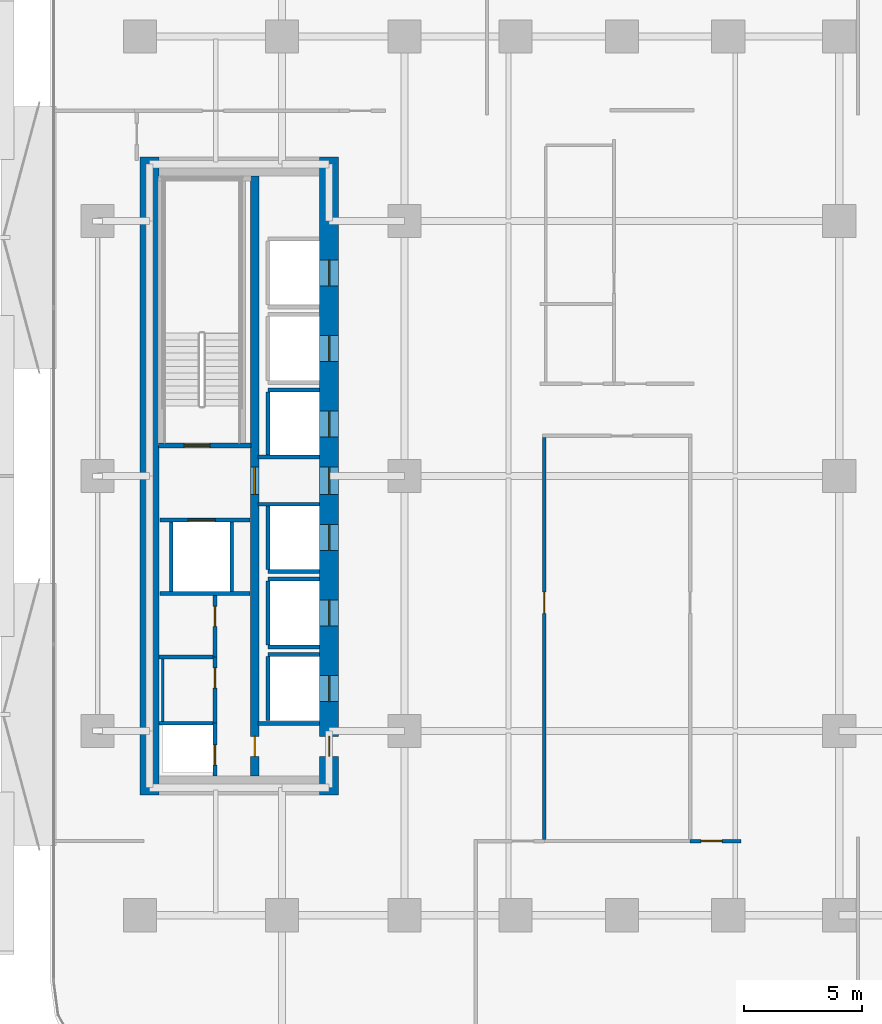
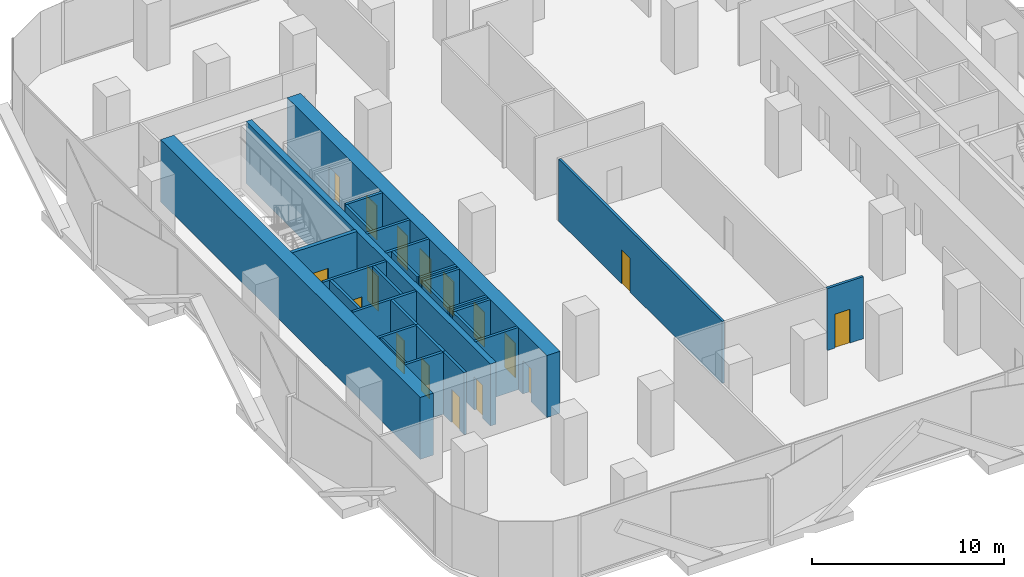
# One storey, part 3 of 15: 28 walls, 17 doors, 17 openings.
"""IFC4 building model written with IfcOpenShell, lengths in metres."""

from ifc_helpers import new_model, si_unit, direction, frame, frame_2d, origin, place, context, subcontext, project, spatial, rectangle, extrude, material, layer, layer_set, type_object, element, fill, save


model = new_model("IFC4")

# Units and contexts
model_context = context("Model", 3, precision=1e-05, world=origin(), true_north=direction((0.0, 1.0)))
body_context = subcontext(model_context, "Body", "Model", "MODEL_VIEW")
ifc_project = project(units=[si_unit("LENGTHUNIT", "METRE"), si_unit("AREAUNIT", "SQUARE_METRE"), si_unit("VOLUMEUNIT", "CUBIC_METRE"), si_unit("PLANEANGLEUNIT", "RADIAN"), si_unit("MASSUNIT", "GRAM", prefix="KILO")], contexts=[model_context])

# Site, building, storey
site_placement = place(None, origin())
site = spatial("IfcSite", under=ifc_project, at=site_placement, CompositionType="ELEMENT")
building_placement = place(site_placement, origin())
building = spatial("IfcBuilding", under=site, at=building_placement, Name="Khairoan Windgate Tower", CompositionType="ELEMENT")
storey_placement = place(building_placement, frame((0.0, 0.0, 47.0)))
storey = spatial("IfcBuildingStorey", under=building, at=storey_placement, Name="L11", CompositionType="ELEMENT", Elevation=47.0)

# Walls
ifc_material_1 = material(Name="Moisture-Resistant Gypsum Partition", Category="gypsum")
ifc_layer_1 = layer(ifc_material_1, 0.10009765625, Name="Moisture-Resistant Gypsum Partition")
ifc_layer_set_1 = layer_set([ifc_layer_1], Name="Moisture-Resistant Gypsum Partition")
wall_type_1 = type_object("IfcWallType", Name="Bathroom Wet-Area Partition Wall", PredefinedType="PARTITIONING", material=ifc_layer_set_1)
wall_1_placement = place(storey_placement, frame((-19.449951171875, -10.389892578125, 0.0), z_axis=(0.0, 0.0, 1.0), x_axis=(0.0, 1.0, 0.0)))
element("IfcWall", 1, at=wall_1_placement, inside=storey, type_object=wall_type_1, Name="L11 Wet Room Side Wall 034", PredefinedType="PARTITIONING", context=body_context, shape_type="SweptSolid", body=[
    extrude(rectangle(XDim=2.639892578125, YDim=0.10009765625, at=frame_2d((1.31982421875, 0.0))), origin(), (0.0, 0.0, 1.0), 3.93994140625),
])
ifc_material_2 = material(Name="Concrete C40/50", Category="concrete")
ifc_layer_2 = layer(ifc_material_2, 0.159912109375, Name="Concrete C40/50")
ifc_layer_set_2 = layer_set([ifc_layer_2], Name="Concrete C40/50")
wall_type_2 = type_object("IfcWallType", Name="Core and Hoistway Enclosure Wall", PredefinedType="STANDARD", material=ifc_layer_set_2)
wall_2_placement = place(storey_placement, frame((-14.989990234375, 3.639892578125, 0.0), z_axis=(0.0, 0.0, 1.0), x_axis=(1.0, 0.0, 0.0)))
element("IfcWall", 2, at=wall_2_placement, inside=storey, type_object=wall_type_2, Name="L11 Lift PL3 Hoistway Divider N", PredefinedType="STANDARD", context=body_context, shape_type="SweptSolid", body=[
    extrude(rectangle(XDim=2.18994140625, YDim=0.159912109375, at=frame_2d((1.094970703125, 0.0))), origin(), (0.0, 0.0, 1.0), 3.93994140625),
])
wall_3_placement = place(storey_placement, frame((-14.989990234375, 0.85009765625, 0.0), z_axis=(0.0, 0.0, 1.0), x_axis=(0.0, 1.0, 0.0)))
element("IfcWall", 3, at=wall_3_placement, inside=storey, type_object=wall_type_2, Name="L11 Lift PL3 Hoistway Back Wall", PredefinedType="STANDARD", context=body_context, shape_type="SweptSolid", body=[
    extrude(rectangle(XDim=2.699951171875, YDim=0.159912109375, at=frame_2d((1.35009765625, 0.0))), origin(), (0.0, 0.0, 1.0), 3.93994140625),
])
wall_4_placement = place(storey_placement, frame((-14.989990234375, -4.0400390625, 0.0), z_axis=(0.0, 0.0, 1.0), x_axis=(1.0, 0.0, 0.0)))
element("IfcWall", 4, at=wall_4_placement, inside=storey, type_object=wall_type_2, Name="L11 Lift PL4 Hoistway Divider S", PredefinedType="STANDARD", context=body_context, shape_type="SweptSolid", body=[
    extrude(rectangle(XDim=2.18994140625, YDim=0.159912109375, at=frame_2d((1.094970703125, 0.0))), origin(), (0.0, 0.0, 1.0), 3.93994140625),
])
wall_5_placement = place(storey_placement, frame((-14.989990234375, -3.949951171875, 0.0), z_axis=(0.0, 0.0, 1.0), x_axis=(0.0, 1.0, 0.0)))
element("IfcWall", 5, at=wall_5_placement, inside=storey, type_object=wall_type_2, Name="L11 Lift PL4 Hoistway Back Wall", PredefinedType="STANDARD", context=body_context, shape_type="SweptSolid", body=[
    extrude(rectangle(XDim=2.699951171875, YDim=0.159912109375, at=frame_2d((1.35009765625, 0.0))), origin(), (0.0, 0.0, 1.0), 3.93994140625),
])
for number, where, z_axis, x_axis, name in (
    (6, (-14.989990234375, -7.239990234375, 0.0), (0.0, 0.0, 1.0), (1.0, 0.0, 0.0), "L11 Lift PL5 Hoistway Divider S"),
    (7, (-14.989990234375, -4.360107421875, 0.0), (0.0, 0.0, 1.0), (1.0, 0.0, 0.0), "L11 Lift PL5 Hoistway Divider N"),
):
    element("IfcWall", number, at=place(storey_placement, frame(where, z_axis=z_axis, x_axis=x_axis)), inside=storey, type_object=wall_type_2, Name=name, PredefinedType="STANDARD", context=body_context, shape_type="SweptSolid", body=[
        extrude(rectangle(XDim=2.18994140625, YDim=0.159912109375, at=frame_2d((1.094970703125, 0.0))), origin(), (0.0, 0.0, 1.0), 3.93994140625),
    ])
wall_6_placement = place(storey_placement, frame((-14.989990234375, -7.14990234375, 0.0), z_axis=(0.0, 0.0, 1.0), x_axis=(0.0, 1.0, 0.0)))
element("IfcWall", 8, at=wall_6_placement, inside=storey, type_object=wall_type_2, Name="L11 Lift PL5 Hoistway Back Wall", PredefinedType="STANDARD", context=body_context, shape_type="SweptSolid", body=[
    extrude(rectangle(XDim=2.699951171875, YDim=0.159912109375, at=frame_2d((1.35009765625, 0.0))), origin(), (0.0, 0.0, 1.0), 3.93994140625),
])
wall_7_placement = place(storey_placement, frame((-14.989990234375, -7.56005859375, 0.0), z_axis=(0.0, 0.0, 1.0), x_axis=(1.0, 0.0, 0.0)))
element("IfcWall", 9, at=wall_7_placement, inside=storey, type_object=wall_type_2, Name="L11 Lift PL6 Hoistway Divider N", PredefinedType="STANDARD", context=body_context, shape_type="SweptSolid", body=[
    extrude(rectangle(XDim=2.18994140625, YDim=0.159912109375, at=frame_2d((1.094970703125, 0.0))), origin(), (0.0, 0.0, 1.0), 3.93994140625),
])
wall_8_placement = place(storey_placement, frame((-14.989990234375, -10.35009765625, 0.0), z_axis=(0.0, 0.0, 1.0), x_axis=(0.0, 1.0, 0.0)))
element("IfcWall", 10, at=wall_8_placement, inside=storey, type_object=wall_type_2, Name="L11 Lift PL6 Hoistway Back Wall", PredefinedType="STANDARD", context=body_context, shape_type="SweptSolid", body=[
    extrude(rectangle(XDim=2.7001953125, YDim=0.159912109375, at=frame_2d((1.35009765625, 0.0))), origin(), (0.0, 0.0, 1.0), 3.93994140625),
])

# Wall, opening, door
wall_9_placement = place(storey_placement, frame((-19.550048828125, -1.860107421875, 0.0), z_axis=(0.0, 0.0, 1.0), x_axis=(1.0, 0.0, 0.0)))
wall_9 = element("IfcWall", 11, at=wall_9_placement, inside=storey, type_object=wall_type_2, Name="L11 Core Shaft Wall SW-FL2-L11", PredefinedType="STANDARD", context=body_context, shape_type="SweptSolid", body=[
    extrude(rectangle(XDim=3.800048828125, YDim=0.159912109375, at=frame_2d((1.89990234375, 0.0))), origin(), (0.0, 0.0, 1.0), 3.93994140625),
])
opening_1_placement = place(wall_9_placement, frame((1.179931640625, 0.0, 0.0)))
opening_1 = element("IfcOpeningElement", 12, at=opening_1_placement, cuts=wall_9, Name="Opening LD-FL", PredefinedType="OPENING", context=body_context, shape_type="SweptSolid", body=[
    extrude(rectangle(XDim=1.14990234375, YDim=2.199951171875, at=frame_2d((0.574951171875, 1.10009765625))), frame((0.0, 0.08984375, 0.0), z_axis=(0.0, -1.0, 0.0), x_axis=(1.0, 0.0, 0.0)), (0.0, 0.0, 1.0), 0.179931640625),
])
ifc_material_3 = material(Name="Steel S355", Category="steel")
door_type_1 = type_object("IfcDoorType", Name="Firefighting Lift Sliding Landing Door LD-FL 1150x2200", OperationType="DOUBLE_DOOR_SLIDING", PredefinedType="DOOR", material=ifc_material_3)
door_1_placement = place(opening_1_placement, origin())
door_1 = element("IfcDoor", 13, at=door_1_placement, inside=storey, type_object=door_type_1, Name="L11 Firefighting Lift FL2 Landing Door", OperationType="DOUBLE_DOOR_SLIDING", OverallHeight=2.199951171875, OverallWidth=1.14990234375, PredefinedType="DOOR", context=body_context, shape_type="SweptSolid", body=[
    extrude(rectangle(XDim=1.14990234375, YDim=2.199951171875, at=frame_2d((0.574951171875, 1.10009765625))), frame((0.0, 0.02490234375, 0.0), z_axis=(0.0, -1.0, 0.0), x_axis=(1.0, 0.0, 0.0)), (0.0, 0.0, 1.0), 0.050048828125),
])
fill(opening_1, door_1)

# Walls
wall_10_placement = place(storey_placement, frame((-19.550048828125, -4.97998046875, 0.0), z_axis=(0.0, 0.0, 1.0), x_axis=(1.0, 0.0, 0.0)))
element("IfcWall", 14, at=wall_10_placement, inside=storey, type_object=wall_type_2, Name="L11 Core Shaft Wall SW-FL2B-L11", PredefinedType="STANDARD", context=body_context, shape_type="SweptSolid", body=[
    extrude(rectangle(XDim=3.800048828125, YDim=0.159912109375, at=frame_2d((1.89990234375, 0.0))), origin(), (0.0, 0.0, 1.0), 3.93994140625),
])
for number, where, z_axis, x_axis, name in (
    (15, (-19.080078125, -4.89990234375, 0.0), (0.0, 0.0, 1.0), (0.0, 1.0, 0.0), "L11 Core Shaft Wall SW-FL2W-L11"),
    (16, (-16.52001953125, -4.89990234375, 0.0), (0.0, 0.0, 1.0), (0.0, 1.0, 0.0), "L11 Core Shaft Wall SW-FL2E-L11"),
):
    element("IfcWall", number, at=place(storey_placement, frame(where, z_axis=z_axis, x_axis=x_axis)), inside=storey, type_object=wall_type_2, Name=name, PredefinedType="STANDARD", context=body_context, shape_type="SweptSolid", body=[
        extrude(rectangle(XDim=2.9599609375, YDim=0.159912109375, at=frame_2d((1.47998046875, 0.0))), origin(), (0.0, 0.0, 1.0), 3.93994140625),
    ])
for number, where, z_axis, x_axis, name in (
    (17, (-15.39990234375, 0.800048828125, 0.0), (0.0, 0.0, 1.0), (1.0, 0.0, 0.0), "L11 Core Shaft Wall SW-WV1-L11"),
    (18, (-15.39990234375, -1.199951171875, 0.0), (0.0, 0.0, 1.0), (1.0, 0.0, 0.0), "L11 Core Shaft Wall SW-WV2-L11"),
    (19, (-15.39990234375, -10.47998046875, 0.0), (0.0, 0.0, 1.0), (1.0, 0.0, 0.0), "L11 Core Shaft Wall SW-WSV-L11"),
):
    element("IfcWall", number, at=place(storey_placement, frame(where, z_axis=z_axis, x_axis=x_axis)), inside=storey, type_object=wall_type_2, Name=name, PredefinedType="STANDARD", context=body_context, shape_type="SweptSolid", body=[
        extrude(rectangle(XDim=2.599853515625, YDim=0.159912109375, at=frame_2d((1.2998046875, 0.0))), origin(), (0.0, 0.0, 1.0), 3.93994140625),
    ])

# Wall, opening, door
ifc_material_4 = material(Name="Concrete C40/50", Category="concrete")
ifc_layer_3 = layer(ifc_material_4, 0.159912109375, Name="Concrete C40/50")
ifc_layer_set_3 = layer_set([ifc_layer_3], Name="Concrete C40/50")
wall_type_3 = type_object("IfcWallType", Name="Plant and Refuge Compartment Wall", PredefinedType="PARTITIONING", material=ifc_layer_set_3)
wall_11_placement = place(storey_placement, frame((-17.22998046875, -12.699951171875, 0.0), z_axis=(0.0, 0.0, 1.0), x_axis=(0.0, 1.0, 0.0)))
wall_11 = element("IfcWall", 20, at=wall_11_placement, inside=storey, type_object=wall_type_3, Name="L11 Interior Partition 001", PredefinedType="PARTITIONING", context=body_context, shape_type="SweptSolid", body=[
    extrude(rectangle(XDim=2.22998046875, YDim=0.159912109375, at=frame_2d((1.114990234375, 0.0))), origin(), (0.0, 0.0, 1.0), 3.93994140625),
])
opening_2_placement = place(wall_11_placement, frame((0.4599609375, 0.0, 0.0)))
opening_2 = element("IfcOpeningElement", 21, at=opening_2_placement, cuts=wall_11, Name="Opening FD-SRV", PredefinedType="OPENING", context=body_context, shape_type="SweptSolid", body=[
    extrude(rectangle(XDim=0.85009765625, YDim=2.10009765625, at=frame_2d((0.425048828125, 1.050048828125))), frame((0.0, 0.08984375, 0.0), z_axis=(0.0, -1.0, 0.0), x_axis=(1.0, 0.0, 0.0)), (0.0, 0.0, 1.0), 0.179931640625),
])
ifc_material_5 = material(Name="Steel S355", Category="steel")
door_type_2 = type_object("IfcDoorType", Name="Core Service and Riser Fire Door FD-SRV 850x2100", OperationType="NOTDEFINED", PredefinedType="DOOR", material=ifc_material_5)
door_2_placement = place(opening_2_placement, origin())
door_2 = element("IfcDoor", 22, at=door_2_placement, inside=storey, type_object=door_type_2, Name="L11 L11-04-L11-05 Door", OperationType="SINGLE_SWING_RIGHT", OverallHeight=2.10009765625, OverallWidth=0.85009765625, PredefinedType="DOOR", context=body_context, shape_type="SweptSolid", body=[
    extrude(rectangle(XDim=0.85009765625, YDim=2.10009765625, at=frame_2d((0.425048828125, 1.050048828125))), frame((0.0, 0.02490234375, 0.0), z_axis=(0.0, -1.0, 0.0), x_axis=(1.0, 0.0, 0.0)), (0.0, 0.0, 1.0), 0.050048828125),
])
fill(opening_2, door_2)

wall_12_placement = place(storey_placement, frame((-17.22998046875, -10.469970703125, 0.0), z_axis=(0.0, 0.0, 1.0), x_axis=(0.0, 1.0, 0.0)))
wall_12 = element("IfcWall", 23, at=wall_12_placement, inside=storey, type_object=wall_type_3, Name="L11 Interior Partition 002", PredefinedType="PARTITIONING", context=body_context, shape_type="SweptSolid", body=[
    extrude(rectangle(XDim=2.800048828125, YDim=0.159912109375, at=frame_2d((1.39990234375, 0.0))), origin(), (0.0, 0.0, 1.0), 3.93994140625),
])
opening_3_placement = place(wall_12_placement, frame((1.489990234375, 0.0, 0.0)))
opening_3 = element("IfcOpeningElement", 24, at=opening_3_placement, cuts=wall_12, Name="Opening FD-SRV", PredefinedType="OPENING", context=body_context, shape_type="SweptSolid", body=[
    extrude(rectangle(XDim=0.85009765625, YDim=2.10009765625, at=frame_2d((0.425048828125, 1.050048828125))), frame((0.0, 0.08984375, 0.0), z_axis=(0.0, -1.0, 0.0), x_axis=(1.0, 0.0, 0.0)), (0.0, 0.0, 1.0), 0.179931640625),
])
door_3_placement = place(opening_3_placement, origin())
door_3 = element("IfcDoor", 25, at=door_3_placement, inside=storey, type_object=door_type_2, Name="L11 L11-04-L11-06 Door", OperationType="SINGLE_SWING_LEFT", OverallHeight=2.10009765625, OverallWidth=0.85009765625, PredefinedType="DOOR", context=body_context, shape_type="SweptSolid", body=[
    extrude(rectangle(XDim=0.85009765625, YDim=2.10009765625, at=frame_2d((0.425048828125, 1.050048828125))), frame((0.0, 0.02490234375, 0.0), z_axis=(0.0, -1.0, 0.0), x_axis=(1.0, 0.0, 0.0)), (0.0, 0.0, 1.0), 0.050048828125),
])
fill(opening_3, door_3)

wall_13_placement = place(storey_placement, frame((-17.22998046875, -7.669921875, 0.0), z_axis=(0.0, 0.0, 1.0), x_axis=(0.0, 1.0, 0.0)))
wall_13 = element("IfcWall", 26, at=wall_13_placement, inside=storey, type_object=wall_type_3, Name="L11 Interior Partition 003", PredefinedType="PARTITIONING", context=body_context, shape_type="SweptSolid", body=[
    extrude(rectangle(XDim=2.60986328125, YDim=0.159912109375, at=frame_2d((1.304931640625, 0.0))), origin(), (0.0, 0.0, 1.0), 3.93994140625),
])
opening_4_placement = place(wall_13_placement, frame((1.300048828125, 0.0, 0.0)))
opening_4 = element("IfcOpeningElement", 27, at=opening_4_placement, cuts=wall_13, Name="Opening FD-SRV", PredefinedType="OPENING", context=body_context, shape_type="SweptSolid", body=[
    extrude(rectangle(XDim=0.85009765625, YDim=2.10009765625, at=frame_2d((0.425048828125, 1.050048828125))), frame((0.0, 0.08984375, 0.0), z_axis=(0.0, -1.0, 0.0), x_axis=(1.0, 0.0, 0.0)), (0.0, 0.0, 1.0), 0.179931640625),
])
door_4_placement = place(opening_4_placement, origin())
door_4 = element("IfcDoor", 28, at=door_4_placement, inside=storey, type_object=door_type_2, Name="L11 L11-04-L11-07 Door", OperationType="SINGLE_SWING_RIGHT", OverallHeight=2.10009765625, OverallWidth=0.85009765625, PredefinedType="DOOR", context=body_context, shape_type="SweptSolid", body=[
    extrude(rectangle(XDim=0.85009765625, YDim=2.10009765625, at=frame_2d((0.425048828125, 1.050048828125))), frame((0.0, 0.02490234375, 0.0), z_axis=(0.0, -1.0, 0.0), x_axis=(1.0, 0.0, 0.0)), (0.0, 0.0, 1.0), 0.050048828125),
])
fill(opening_4, door_4)

# Walls
for number, where, z_axis, x_axis, name in (
    (29, (-19.60009765625, -10.469970703125, 0.0), (0.0, 0.0, 1.0), (1.0, 0.0, 0.0), "L11 Interior Partition 004"),
    (30, (-19.60009765625, -7.669921875, 0.0), (0.0, 0.0, 1.0), (1.0, 0.0, 0.0), "L11 Interior Partition 005"),
):
    element("IfcWall", number, at=place(storey_placement, frame(where, z_axis=z_axis, x_axis=x_axis)), inside=storey, type_object=wall_type_3, Name=name, PredefinedType="PARTITIONING", context=body_context, shape_type="SweptSolid", body=[
        extrude(rectangle(XDim=2.2900390625, YDim=0.159912109375, at=frame_2d((1.14501953125, 0.0))), origin(), (0.0, 0.0, 1.0), 3.93994140625),
    ])

# Wall, opening, door
ifc_material_6 = material(Name="Acoustic Fire-Rated Gypsum Partition", Category="gypsum")
ifc_layer_4 = layer(ifc_material_6, 0.14990234375, Name="Acoustic Fire-Rated Gypsum Partition")
ifc_layer_set_4 = layer_set([ifc_layer_4], Name="Acoustic Fire-Rated Gypsum Partition")
wall_type_4 = type_object("IfcWallType", Name="Rated Corridor Partition Wall", PredefinedType="PARTITIONING", material=ifc_layer_set_4)
wall_14_placement = place(storey_placement, frame((-3.284912109375, -15.385009765625, 0.0), z_axis=(0.0, 0.0, 1.0), x_axis=(0.0, 1.0, 0.0)))
wall_14 = element("IfcWall", 31, at=wall_14_placement, inside=storey, type_object=wall_type_4, Name="L11 Interior Partition 014", PredefinedType="PARTITIONING", context=body_context, shape_type="SweptSolid", body=[
    extrude(rectangle(XDim=17.005126953125, YDim=0.14990234375, at=frame_2d((8.50244140625, 0.0))), origin(), (0.0, 0.0, 1.0), 3.93994140625),
])
opening_5_placement = place(wall_14_placement, frame((9.571044921875, 0.0, 0.0)))
opening_5 = element("IfcOpeningElement", 32, at=opening_5_placement, cuts=wall_14, Name="Opening FD-ENT", PredefinedType="OPENING", context=body_context, shape_type="SweptSolid", body=[
    extrude(rectangle(XDim=0.89990234375, YDim=2.14990234375, at=frame_2d((0.449951171875, 1.074951171875))), frame((0.0, 0.0849609375, 0.0), z_axis=(0.0, -1.0, 0.0), x_axis=(1.0, 0.0, 0.0)), (0.0, 0.0, 1.0), 0.169921875),
])
ifc_material_7 = material(Name="Timber Fire-Rated Core", Category="wood")
door_type_3 = type_object("IfcDoorType", Name="Unit and Office Fire Entrance Door FD-ENT 900x2150", OperationType="NOTDEFINED", PredefinedType="DOOR", material=ifc_material_7)
door_5_placement = place(opening_5_placement, origin())
door_5 = element("IfcDoor", 33, at=door_5_placement, inside=storey, type_object=door_type_3, Name="L11 L11-31-L11-47 Door", OperationType="SINGLE_SWING_RIGHT", OverallHeight=2.14990234375, OverallWidth=0.89990234375, PredefinedType="DOOR", context=body_context, shape_type="SweptSolid", body=[
    extrude(rectangle(XDim=0.89990234375, YDim=2.14990234375, at=frame_2d((0.449951171875, 1.074951171875))), frame((0.0, 0.02490234375, 0.0), z_axis=(0.0, -1.0, 0.0), x_axis=(1.0, 0.0, 0.0)), (0.0, 0.0, 1.0), 0.050048828125),
])
fill(opening_5, door_5)

wall_15_placement = place(storey_placement, frame((2.885009765625, -15.4599609375, 0.0), z_axis=(0.0, 0.0, 1.0), x_axis=(1.0, 0.0, 0.0)))
wall_15 = element("IfcWall", 34, at=wall_15_placement, inside=storey, type_object=wall_type_4, Name="L11 Interior Partition 015", PredefinedType="PARTITIONING", context=body_context, shape_type="SweptSolid", body=[
    extrude(rectangle(XDim=2.155029296875, YDim=0.14990234375, at=frame_2d((1.07763671875, 0.0))), origin(), (0.0, 0.0, 1.0), 3.93994140625),
])
opening_6_placement = place(wall_15_placement, frame((0.4599609375, 0.0, 0.0)))
opening_6 = element("IfcOpeningElement", 35, at=opening_6_placement, cuts=wall_15, Name="Opening FD-ENT", PredefinedType="OPENING", context=body_context, shape_type="SweptSolid", body=[
    extrude(rectangle(XDim=0.89990234375, YDim=2.14990234375, at=frame_2d((0.449951171875, 1.074951171875))), frame((0.0, 0.0849609375, 0.0), z_axis=(0.0, -1.0, 0.0), x_axis=(1.0, 0.0, 0.0)), (0.0, 0.0, 1.0), 0.169921875),
])
door_6_placement = place(opening_6_placement, origin())
door_6 = element("IfcDoor", 36, at=door_6_placement, inside=storey, type_object=door_type_3, Name="L11 L11-32-L11-42 Door", OperationType="SINGLE_SWING_LEFT", OverallHeight=2.14990234375, OverallWidth=0.89990234375, PredefinedType="DOOR", context=body_context, shape_type="SweptSolid", body=[
    extrude(rectangle(XDim=0.89990234375, YDim=2.14990234375, at=frame_2d((0.449951171875, 1.074951171875))), frame((0.0, 0.02490234375, 0.0), z_axis=(0.0, -1.0, 0.0), x_axis=(1.0, 0.0, 0.0)), (0.0, 0.0, 1.0), 0.050048828125),
])
fill(opening_6, door_6)

# Wall
ifc_material_8 = material(Name="Concrete C70/85", Category="concrete")
ifc_layer_5 = layer(ifc_material_8, 0.800048828125, Name="Concrete C70/85")
ifc_layer_set_5 = layer_set([ifc_layer_5], Name="Concrete C70/85")
wall_type_5 = type_object("IfcWallType", Name="Shear Wall CW-W1 800mm", PredefinedType="SHEAR", material=ifc_layer_set_5)
wall_16_placement = place(storey_placement, frame((-20.0, -13.5, 0.0), z_axis=(0.0, 0.0, 1.0), x_axis=(0.0, 1.0, 0.0)))
element("IfcWall", 37, at=wall_16_placement, inside=storey, type_object=wall_type_5, Name="W Core West Shear Wall L11", PredefinedType="SHEAR", context=body_context, shape_type="SweptSolid", body=[
    extrude(rectangle(XDim=27.0, YDim=0.800048828125, at=frame_2d((13.5, 0.0))), origin(), (0.0, 0.0, 1.0), 3.93994140625),
])

# Wall, openings, doors
wall_17_placement = place(storey_placement, frame((-12.39990234375, -13.5, 0.0), z_axis=(0.0, 0.0, 1.0), x_axis=(0.0, 1.0, 0.0)))
wall_17 = element("IfcWall", 38, at=wall_17_placement, inside=storey, type_object=wall_type_5, Name="W Core East Shear Wall L11", PredefinedType="SHEAR", context=body_context, shape_type="SweptSolid", body=[
    extrude(rectangle(XDim=27.0, YDim=0.800048828125, at=frame_2d((13.5, 0.0))), origin(), (0.0, 0.0, 1.0), 3.93994140625),
])
opening_7_placement = place(wall_17_placement, frame((21.550048828125, 0.0, 0.0)))
opening_7 = element("IfcOpeningElement", 39, at=opening_7_placement, cuts=wall_17, Name="Opening LD-PL", PredefinedType="OPENING", context=body_context, shape_type="SweptSolid", body=[
    extrude(rectangle(XDim=1.10009765625, YDim=2.199951171875, at=frame_2d((0.550048828125, 1.10009765625))), frame((0.0, 0.409912109375, 0.0), z_axis=(0.0, -1.0, 0.0), x_axis=(1.0, 0.0, 0.0)), (0.0, 0.0, 1.0), 0.820068359375),
])
opening_8_placement = place(wall_17_placement, frame((18.35009765625, 0.0, 0.0)))
opening_8 = element("IfcOpeningElement", 40, at=opening_8_placement, cuts=wall_17, Name="Opening LD-PL", PredefinedType="OPENING", context=body_context, shape_type="SweptSolid", body=[
    extrude(rectangle(XDim=1.10009765625, YDim=2.199951171875, at=frame_2d((0.550048828125, 1.10009765625))), frame((0.0, 0.409912109375, 0.0), z_axis=(0.0, -1.0, 0.0), x_axis=(1.0, 0.0, 0.0)), (0.0, 0.0, 1.0), 0.820068359375),
])
opening_9_placement = place(wall_17_placement, frame((15.14990234375, 0.0, 0.0)))
opening_9 = element("IfcOpeningElement", 41, at=opening_9_placement, cuts=wall_17, Name="Opening LD-PL", PredefinedType="OPENING", context=body_context, shape_type="SweptSolid", body=[
    extrude(rectangle(XDim=1.10009765625, YDim=2.199951171875, at=frame_2d((0.550048828125, 1.10009765625))), frame((0.0, 0.409912109375, 0.0), z_axis=(0.0, -1.0, 0.0), x_axis=(1.0, 0.0, 0.0)), (0.0, 0.0, 1.0), 0.820068359375),
])
opening_10_placement = place(wall_17_placement, frame((10.35009765625, 0.0, 0.0)))
opening_10 = element("IfcOpeningElement", 42, at=opening_10_placement, cuts=wall_17, Name="Opening LD-PL", PredefinedType="OPENING", context=body_context, shape_type="SweptSolid", body=[
    extrude(rectangle(XDim=1.10009765625, YDim=2.199951171875, at=frame_2d((0.550048828125, 1.10009765625))), frame((0.0, 0.409912109375, 0.0), z_axis=(0.0, -1.0, 0.0), x_axis=(1.0, 0.0, 0.0)), (0.0, 0.0, 1.0), 0.820068359375),
])
opening_11_placement = place(wall_17_placement, frame((7.14990234375, 0.0, 0.0)))
opening_11 = element("IfcOpeningElement", 43, at=opening_11_placement, cuts=wall_17, Name="Opening LD-PL", PredefinedType="OPENING", context=body_context, shape_type="SweptSolid", body=[
    extrude(rectangle(XDim=1.10009765625, YDim=2.199951171875, at=frame_2d((0.550048828125, 1.10009765625))), frame((0.0, 0.409912109375, 0.0), z_axis=(0.0, -1.0, 0.0), x_axis=(1.0, 0.0, 0.0)), (0.0, 0.0, 1.0), 0.820068359375),
])
opening_12_placement = place(wall_17_placement, frame((3.949951171875, 0.0, 0.0)))
opening_12 = element("IfcOpeningElement", 44, at=opening_12_placement, cuts=wall_17, Name="Opening LD-PL", PredefinedType="OPENING", context=body_context, shape_type="SweptSolid", body=[
    extrude(rectangle(XDim=1.10009765625, YDim=2.199951171875, at=frame_2d((0.550048828125, 1.10009765625))), frame((0.0, 0.409912109375, 0.0), z_axis=(0.0, -1.0, 0.0), x_axis=(1.0, 0.0, 0.0)), (0.0, 0.0, 1.0), 0.820068359375),
])
opening_13_placement = place(wall_17_placement, frame((12.72509765625, 0.0, 0.0)))
opening_13 = element("IfcOpeningElement", 45, at=opening_13_placement, cuts=wall_17, Name="Opening FD-FFL", PredefinedType="OPENING", context=body_context, shape_type="SweptSolid", body=[
    extrude(rectangle(XDim=1.14990234375, YDim=2.199951171875, at=frame_2d((0.574951171875, 1.10009765625))), frame((0.0, 0.409912109375, 0.0), z_axis=(0.0, -1.0, 0.0), x_axis=(1.0, 0.0, 0.0)), (0.0, 0.0, 1.0), 0.820068359375),
])
opening_14_placement = place(wall_17_placement, frame((1.625, 0.0, 0.0)))
opening_14 = element("IfcOpeningElement", 46, at=opening_14_placement, cuts=wall_17, Name="Opening FD-SRV", PredefinedType="OPENING", context=body_context, shape_type="SweptSolid", body=[
    extrude(rectangle(XDim=0.85009765625, YDim=2.10009765625, at=frame_2d((0.425048828125, 1.050048828125))), frame((0.0, 0.409912109375, 0.0), z_axis=(0.0, -1.0, 0.0), x_axis=(1.0, 0.0, 0.0)), (0.0, 0.0, 1.0), 0.820068359375),
])
door_7_placement = place(opening_14_placement, origin())
door_7 = element("IfcDoor", 47, at=door_7_placement, inside=storey, type_object=door_type_2, Name="L11 West Core Service Vestibule Outer Door", OperationType="SINGLE_SWING_RIGHT", OverallHeight=2.10009765625, OverallWidth=0.85009765625, PredefinedType="DOOR", context=body_context, shape_type="SweptSolid", body=[
    extrude(rectangle(XDim=0.85009765625, YDim=2.10009765625, at=frame_2d((0.425048828125, 1.050048828125))), frame((0.0, 0.02490234375, 0.0), z_axis=(0.0, -1.0, 0.0), x_axis=(1.0, 0.0, 0.0)), (0.0, 0.0, 1.0), 0.050048828125),
])
fill(opening_14, door_7)
ifc_material_9 = material(Name="Steel S355", Category="steel")
door_type_4 = type_object("IfcDoorType", Name="Firefighting Lobby Fire Door FD-FFL 1150x2200", OperationType="NOTDEFINED", PredefinedType="DOOR", material=ifc_material_9)
door_8_placement = place(opening_13_placement, origin())
door_8 = element("IfcDoor", 48, at=door_8_placement, inside=storey, type_object=door_type_4, Name="L11 West Core Vestibule Entry Door", OperationType="SINGLE_SWING_RIGHT", OverallHeight=2.199951171875, OverallWidth=1.14990234375, PredefinedType="DOOR", context=body_context, shape_type="SweptSolid", body=[
    extrude(rectangle(XDim=1.14990234375, YDim=2.199951171875, at=frame_2d((0.574951171875, 1.10009765625))), frame((0.0, 0.02490234375, 0.0), z_axis=(0.0, -1.0, 0.0), x_axis=(1.0, 0.0, 0.0)), (0.0, 0.0, 1.0), 0.050048828125),
])
fill(opening_13, door_8)
ifc_material_10 = material(Name="Anodised Bronze Aluminium 6063-T6", Category="aluminium")
door_type_5 = type_object("IfcDoorType", Name="Passenger Lift Sliding Landing Door LD-PL 1100x2200", OperationType="DOUBLE_DOOR_SLIDING", PredefinedType="DOOR", material=ifc_material_10)
door_9_placement = place(opening_7_placement, origin())
door_9 = element("IfcDoor", 49, at=door_9_placement, inside=storey, type_object=door_type_5, Name="L11 Lift PL1 Sliding Landing Door", OperationType="DOUBLE_DOOR_SLIDING", OverallHeight=2.199951171875, OverallWidth=1.10009765625, PredefinedType="DOOR", context=body_context, shape_type="SweptSolid", body=[
    extrude(rectangle(XDim=1.10009765625, YDim=2.199951171875, at=frame_2d((0.550048828125, 1.10009765625))), frame((0.0, 0.02490234375, 0.0), z_axis=(0.0, -1.0, 0.0), x_axis=(1.0, 0.0, 0.0)), (0.0, 0.0, 1.0), 0.050048828125),
])
fill(opening_7, door_9)
door_10_placement = place(opening_8_placement, origin())
door_10 = element("IfcDoor", 50, at=door_10_placement, inside=storey, type_object=door_type_5, Name="L11 Lift PL2 Sliding Landing Door", OperationType="DOUBLE_DOOR_SLIDING", OverallHeight=2.199951171875, OverallWidth=1.10009765625, PredefinedType="DOOR", context=body_context, shape_type="SweptSolid", body=[
    extrude(rectangle(XDim=1.10009765625, YDim=2.199951171875, at=frame_2d((0.550048828125, 1.10009765625))), frame((0.0, 0.02490234375, 0.0), z_axis=(0.0, -1.0, 0.0), x_axis=(1.0, 0.0, 0.0)), (0.0, 0.0, 1.0), 0.050048828125),
])
fill(opening_8, door_10)
door_11_placement = place(opening_9_placement, origin())
door_11 = element("IfcDoor", 51, at=door_11_placement, inside=storey, type_object=door_type_5, Name="L11 Lift PL3 Sliding Landing Door", OperationType="DOUBLE_DOOR_SLIDING", OverallHeight=2.199951171875, OverallWidth=1.10009765625, PredefinedType="DOOR", context=body_context, shape_type="SweptSolid", body=[
    extrude(rectangle(XDim=1.10009765625, YDim=2.199951171875, at=frame_2d((0.550048828125, 1.10009765625))), frame((0.0, 0.02490234375, 0.0), z_axis=(0.0, -1.0, 0.0), x_axis=(1.0, 0.0, 0.0)), (0.0, 0.0, 1.0), 0.050048828125),
])
fill(opening_9, door_11)
door_12_placement = place(opening_10_placement, origin())
door_12 = element("IfcDoor", 52, at=door_12_placement, inside=storey, type_object=door_type_5, Name="L11 Lift PL4 Sliding Landing Door", OperationType="DOUBLE_DOOR_SLIDING", OverallHeight=2.199951171875, OverallWidth=1.10009765625, PredefinedType="DOOR", context=body_context, shape_type="SweptSolid", body=[
    extrude(rectangle(XDim=1.10009765625, YDim=2.199951171875, at=frame_2d((0.550048828125, 1.10009765625))), frame((0.0, 0.02490234375, 0.0), z_axis=(0.0, -1.0, 0.0), x_axis=(1.0, 0.0, 0.0)), (0.0, 0.0, 1.0), 0.050048828125),
])
fill(opening_10, door_12)
door_13_placement = place(opening_11_placement, origin())
door_13 = element("IfcDoor", 53, at=door_13_placement, inside=storey, type_object=door_type_5, Name="L11 Lift PL5 Sliding Landing Door", OperationType="DOUBLE_DOOR_SLIDING", OverallHeight=2.199951171875, OverallWidth=1.10009765625, PredefinedType="DOOR", context=body_context, shape_type="SweptSolid", body=[
    extrude(rectangle(XDim=1.10009765625, YDim=2.199951171875, at=frame_2d((0.550048828125, 1.10009765625))), frame((0.0, 0.02490234375, 0.0), z_axis=(0.0, -1.0, 0.0), x_axis=(1.0, 0.0, 0.0)), (0.0, 0.0, 1.0), 0.050048828125),
])
fill(opening_11, door_13)
door_14_placement = place(opening_12_placement, origin())
door_14 = element("IfcDoor", 54, at=door_14_placement, inside=storey, type_object=door_type_5, Name="L11 Lift PL6 Sliding Landing Door", OperationType="DOUBLE_DOOR_SLIDING", OverallHeight=2.199951171875, OverallWidth=1.10009765625, PredefinedType="DOOR", context=body_context, shape_type="SweptSolid", body=[
    extrude(rectangle(XDim=1.10009765625, YDim=2.199951171875, at=frame_2d((0.550048828125, 1.10009765625))), frame((0.0, 0.02490234375, 0.0), z_axis=(0.0, -1.0, 0.0), x_axis=(1.0, 0.0, 0.0)), (0.0, 0.0, 1.0), 0.050048828125),
])
fill(opening_12, door_14)

ifc_material_11 = material(Name="Concrete C60/75", Category="concrete")
ifc_layer_6 = layer(ifc_material_11, 0.35009765625, Name="Concrete C60/75")
ifc_layer_set_6 = layer_set([ifc_layer_6], Name="Concrete C60/75")
wall_type_6 = type_object("IfcWallType", Name="Shear Wall SW-1 350mm", PredefinedType="SHEAR", material=ifc_layer_set_6)
wall_18_placement = place(storey_placement, frame((-15.550048828125, -12.699951171875, 0.0), z_axis=(0.0, 0.0, 1.0), x_axis=(0.0, 1.0, 0.0)))
wall_18 = element("IfcWall", 55, at=wall_18_placement, inside=storey, type_object=wall_type_6, Name="W Core Spine Shear Wall L11", PredefinedType="SHEAR", context=body_context, shape_type="SweptSolid", body=[
    extrude(rectangle(XDim=25.39990234375, YDim=0.35009765625, at=frame_2d((12.699951171875, 0.0))), origin(), (0.0, 0.0, 1.0), 3.93994140625),
])
opening_15_placement = place(wall_18_placement, frame((11.925048828125, 0.0, 0.0)))
opening_15 = element("IfcOpeningElement", 56, at=opening_15_placement, cuts=wall_18, Name="Opening FD-FFL", PredefinedType="OPENING", context=body_context, shape_type="SweptSolid", body=[
    extrude(rectangle(XDim=1.14990234375, YDim=2.199951171875, at=frame_2d((0.574951171875, 1.10009765625))), frame((0.0, 0.18505859375, 0.0), z_axis=(0.0, -1.0, 0.0), x_axis=(1.0, 0.0, 0.0)), (0.0, 0.0, 1.0), 0.3701171875),
])
opening_16_placement = place(wall_18_placement, frame((0.824951171875, 0.0, 0.0)))
opening_16 = element("IfcOpeningElement", 57, at=opening_16_placement, cuts=wall_18, Name="Opening FD-SRV", PredefinedType="OPENING", context=body_context, shape_type="SweptSolid", body=[
    extrude(rectangle(XDim=0.85009765625, YDim=2.10009765625, at=frame_2d((0.425048828125, 1.050048828125))), frame((0.0, 0.18505859375, 0.0), z_axis=(0.0, -1.0, 0.0), x_axis=(1.0, 0.0, 0.0)), (0.0, 0.0, 1.0), 0.3701171875),
])
door_15_placement = place(opening_16_placement, origin())
door_15 = element("IfcDoor", 58, at=door_15_placement, inside=storey, type_object=door_type_2, Name="L11 West Core Service Passage Inner Door", OperationType="SINGLE_SWING_LEFT", OverallHeight=2.10009765625, OverallWidth=0.85009765625, PredefinedType="DOOR", context=body_context, shape_type="SweptSolid", body=[
    extrude(rectangle(XDim=0.85009765625, YDim=2.10009765625, at=frame_2d((0.425048828125, 1.050048828125))), frame((0.0, 0.02490234375, 0.0), z_axis=(0.0, -1.0, 0.0), x_axis=(1.0, 0.0, 0.0)), (0.0, 0.0, 1.0), 0.050048828125),
])
fill(opening_16, door_15)
door_16_placement = place(opening_15_placement, origin())
door_16 = element("IfcDoor", 59, at=door_16_placement, inside=storey, type_object=door_type_4, Name="L11 West Firefighting Lobby Fire Door", OperationType="SINGLE_SWING_LEFT", OverallHeight=2.199951171875, OverallWidth=1.14990234375, PredefinedType="DOOR", context=body_context, shape_type="SweptSolid", body=[
    extrude(rectangle(XDim=1.14990234375, YDim=2.199951171875, at=frame_2d((0.574951171875, 1.10009765625))), frame((0.0, 0.02490234375, 0.0), z_axis=(0.0, -1.0, 0.0), x_axis=(1.0, 0.0, 0.0)), (0.0, 0.0, 1.0), 0.050048828125),
])
fill(opening_15, door_16)

# Wall, opening, door
ifc_material_12 = material(Name="Concrete C50/60", Category="concrete")
ifc_layer_7 = layer(ifc_material_12, 0.219970703125, Name="Concrete C50/60")
ifc_layer_set_7 = layer_set([ifc_layer_7], Name="Concrete C50/60")
wall_type_7 = type_object("IfcWallType", Name="Shear Wall SW-ST 220mm", PredefinedType="SHEAR", material=ifc_layer_set_7)
wall_19_placement = place(storey_placement, frame((-19.6201171875, 1.2900390625, 0.0), z_axis=(0.0, 0.0, 1.0), x_axis=(1.0, 0.0, 0.0)))
wall_19 = element("IfcWall", 60, at=wall_19_placement, inside=storey, type_object=wall_type_7, Name="L11 Stair ST2 South Bearing Wall", PredefinedType="SHEAR", context=body_context, shape_type="SweptSolid", body=[
    extrude(rectangle(XDim=3.9150390625, YDim=0.219970703125, at=frame_2d((1.95751953125, 0.0))), origin(), (0.0, 0.0, 1.0), 3.93994140625),
])
opening_17_placement = place(wall_19_placement, frame((1.080078125, 0.0, 0.0)))
opening_17 = element("IfcOpeningElement", 61, at=opening_17_placement, cuts=wall_19, Name="Opening FD-ST", PredefinedType="OPENING", context=body_context, shape_type="SweptSolid", body=[
    extrude(rectangle(XDim=1.10009765625, YDim=2.199951171875, at=frame_2d((0.550048828125, 1.10009765625))), frame((0.0, 0.119873046875, 0.0), z_axis=(0.0, -1.0, 0.0), x_axis=(1.0, 0.0, 0.0)), (0.0, 0.0, 1.0), 0.239990234375),
])
ifc_material_13 = material(Name="Steel S355", Category="steel")
door_type_6 = type_object("IfcDoorType", Name="Smokeproof Stair Fire Door FD-ST 1100x2200", OperationType="NOTDEFINED", PredefinedType="DOOR", material=ifc_material_13)
door_17_placement = place(opening_17_placement, origin())
door_17 = element("IfcDoor", 62, at=door_17_placement, inside=storey, type_object=door_type_6, Name="L11 Stair ST2 Fire Door", OperationType="SINGLE_SWING_RIGHT", OverallHeight=2.199951171875, OverallWidth=1.10009765625, PredefinedType="DOOR", context=body_context, shape_type="SweptSolid", body=[
    extrude(rectangle(XDim=1.10009765625, YDim=2.199951171875, at=frame_2d((0.550048828125, 1.10009765625))), frame((0.0, 0.02490234375, 0.0), z_axis=(0.0, -1.0, 0.0), x_axis=(1.0, 0.0, 0.0)), (0.0, 0.0, 1.0), 0.050048828125),
])
fill(opening_17, door_17)

save(model, "model.ifc")
